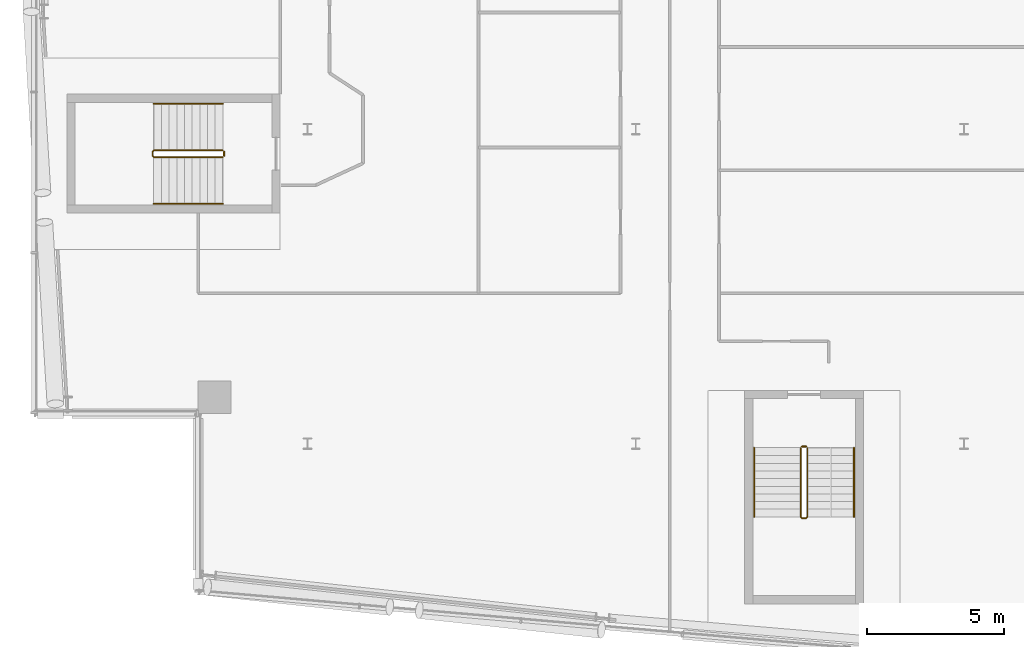
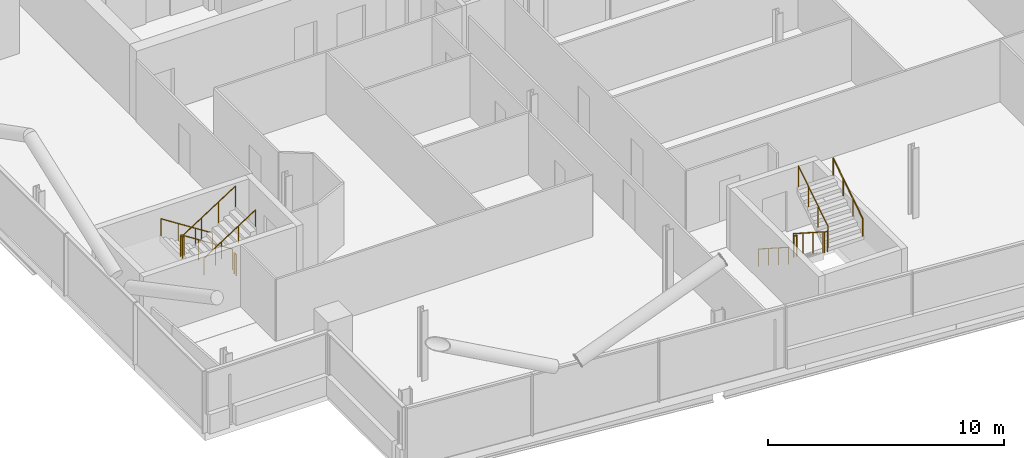
# One storey, part 25 of 27: 8 railings.
"""IFC4 building model written with IfcOpenShell, lengths in metres."""

from ifc_helpers import new_model, si_unit, direction, frame, origin, origin_2d, place, context, subcontext, project, spatial, circle, extrude, material, type_object, element, save


model = new_model("IFC4")

# Units and contexts
model_context = context("Model", 3, precision=1e-05, world=origin(), true_north=direction((0.0, 1.0)))
body_context = subcontext(model_context, "Body", "Model", "MODEL_VIEW")
ifc_project = project(units=[si_unit("LENGTHUNIT", "METRE"), si_unit("AREAUNIT", "SQUARE_METRE"), si_unit("VOLUMEUNIT", "CUBIC_METRE"), si_unit("PLANEANGLEUNIT", "RADIAN"), si_unit("MASSUNIT", "GRAM", prefix="KILO")], contexts=[model_context])

# Site, building, storey
site_placement = place(None, origin())
site = spatial("IfcSite", under=ifc_project, at=site_placement, CompositionType="ELEMENT")
building_placement = place(site_placement, origin())
building = spatial("IfcBuilding", under=site, at=building_placement, Name="Wharfspan Tower", CompositionType="ELEMENT")
storey_placement = place(building_placement, frame((0.0, 0.0, 228.699951)))
storey = spatial("IfcBuildingStorey", under=building, at=storey_placement, Name="L57", CompositionType="ELEMENT", Elevation=228.699951)

# Railings
ifc_material = material(Name="Steel S355J2", Category="steel")
railing_type_1 = type_object("IfcRailingType", Name="Stair guard 1100", PredefinedType="GUARDRAIL", material=ifc_material)
railing_1_placement = place(storey_placement, frame((20.899902, 22.225098, 0.179932)))
element("IfcRailing", 1, at=railing_1_placement, inside=storey, type_object=railing_type_1, Name="L57 ST3 stair guard 1", PredefinedType="GUARDRAIL", context=body_context, shape_type="SweptSolid", body=[
    extrude(circle(Radius=0.023926, at=origin_2d()), frame((0.0, 0.0, 1.076172), z_axis=(-0.841163, 0.0, 0.540782), x_axis=(0.0, -1.0, 0.0)), (0.0, 0.0, 1.0), 2.99585),
    extrude(circle(Radius=0.023926, at=origin_2d()), frame((-2.52002, 0.0, 2.696289), z_axis=(-0.705376, -0.708834, 0.0), x_axis=(0.708834, -0.705376, 0.0)), (0.0, 0.0, 1.0), 0.070557),
    extrude(circle(Radius=0.023926, at=origin_2d()), frame((-2.569824, -0.050049, 2.696289), z_axis=(0.0, -1.0, 0.0), x_axis=(1.0, 0.0, 0.0)), (0.0, 0.0, 1.0), 0.150146),
    extrude(circle(Radius=0.023926, at=origin_2d()), frame((-2.569824, -0.200195, 2.696289), z_axis=(0.257753, -0.257753, 0.931196), x_axis=(0.707107, 0.707107, 0.0)), (0.0, 0.0, 1.0), 0.193115),
    extrude(circle(Radius=0.023926, at=origin_2d()), frame((-2.52002, -0.25, 2.875977), z_axis=(0.841163, 0.0, 0.540782), x_axis=(0.0, 1.0, 0.0)), (0.0, 0.0, 1.0), 2.99585),
    extrude(circle(Radius=0.020996, at=origin_2d()), origin(), (0.0, 0.0, 1.0), 1.052002),
    extrude(circle(Radius=0.020996, at=origin_2d()), frame((-0.840088, 0.0, 0.540039)), (0.0, 0.0, 1.0), 1.052002),
    extrude(circle(Radius=0.020996, at=origin_2d()), frame((-1.679932, 0.0, 1.080078)), (0.0, 0.0, 1.0), 1.052002),
    extrude(circle(Radius=0.020996, at=origin_2d()), frame((-2.52002, 0.0, 1.620117)), (0.0, 0.0, 1.0), 1.052002),
    extrude(circle(Radius=0.020996, at=origin_2d()), frame((-2.569824, -0.050049, 1.620117)), (0.0, 0.0, 1.0), 1.052002),
    extrude(circle(Radius=0.020996, at=origin_2d()), frame((-2.569824, -0.200195, 1.620117)), (0.0, 0.0, 1.0), 1.052002),
    extrude(circle(Radius=0.020996, at=origin_2d()), frame((-2.52002, -0.25, 1.800049)), (0.0, 0.0, 1.0), 1.052002),
    extrude(circle(Radius=0.020996, at=origin_2d()), frame((-1.679932, -0.25, 2.340088)), (0.0, 0.0, 1.0), 1.052002),
    extrude(circle(Radius=0.020996, at=origin_2d()), frame((-0.840088, -0.25, 2.880127)), (0.0, 0.0, 1.0), 1.052002),
    extrude(circle(Radius=0.020996, at=origin_2d()), frame((0.0, -0.25, 3.420166)), (0.0, 0.0, 1.0), 1.052002),
])
railing_2_placement = place(storey_placement, frame((20.949951, 22.175049, 0.0)))
element("IfcRailing", 2, at=railing_2_placement, inside=storey, type_object=railing_type_1, Name="L57 ST3 stair guard 2", PredefinedType="GUARDRAIL", context=body_context, shape_type="SweptSolid", body=[
    extrude(circle(Radius=0.023926, at=origin_2d()), frame((0.0, 0.0, 1.076172), z_axis=(0.0, -1.0, 0.0), x_axis=(1.0, 0.0, 0.0)), (0.0, 0.0, 1.0), 0.150146),
    extrude(circle(Radius=0.020996, at=origin_2d()), origin(), (0.0, 0.0, 1.0), 1.052002),
    extrude(circle(Radius=0.020996, at=origin_2d()), frame((0.0, -0.150146, 0.0)), (0.0, 0.0, 1.0), 1.052002),
])
railing_3_placement = place(storey_placement, frame((42.0271, 11.343262, 0.179932)))
element("IfcRailing", 3, at=railing_3_placement, inside=storey, type_object=railing_type_1, Name="L57 ST4 stair guard 1", PredefinedType="GUARDRAIL", context=body_context, shape_type="SweptSolid", body=[
    extrude(circle(Radius=0.023926, at=origin_2d()), frame((0.0, 0.0, 1.076172), z_axis=(0.0, -0.841163, 0.540782), x_axis=(1.0, 0.0, 0.0)), (0.0, 0.0, 1.0), 2.99585),
    extrude(circle(Radius=0.023926, at=origin_2d()), frame((0.0, -2.52002, 2.696289), z_axis=(0.707107, -0.707107, 0.0), x_axis=(0.707107, 0.707107, 0.0)), (0.0, 0.0, 1.0), 0.070801),
    extrude(circle(Radius=0.023926, at=origin_2d()), frame((0.050049, -2.570068, 2.696289), z_axis=(1.0, 0.0, 0.0), x_axis=(0.0, 1.0, 0.0)), (0.0, 0.0, 1.0), 0.149902),
    extrude(circle(Radius=0.023926, at=origin_2d()), frame((0.199951, -2.570068, 2.696289), z_axis=(0.258848, 0.258848, 0.930589), x_axis=(-0.707107, 0.707107, 0.0)), (0.0, 0.0, 1.0), 0.193359),
    extrude(circle(Radius=0.023926, at=origin_2d()), frame((0.25, -2.52002, 2.875977), z_axis=(0.0, 0.841163, 0.540782), x_axis=(-1.0, 0.0, 0.0)), (0.0, 0.0, 1.0), 2.99585),
    extrude(circle(Radius=0.020996, at=origin_2d()), origin(), (0.0, 0.0, 1.0), 1.052002),
    extrude(circle(Radius=0.020996, at=origin_2d()), frame((0.0, -0.840088, 0.540039)), (0.0, 0.0, 1.0), 1.052002),
    extrude(circle(Radius=0.020996, at=origin_2d()), frame((0.0, -1.679932, 1.080078)), (0.0, 0.0, 1.0), 1.052002),
    extrude(circle(Radius=0.020996, at=origin_2d()), frame((0.0, -2.52002, 1.620117)), (0.0, 0.0, 1.0), 1.052002),
    extrude(circle(Radius=0.020996, at=origin_2d()), frame((0.050049, -2.570068, 1.620117)), (0.0, 0.0, 1.0), 1.052002),
    extrude(circle(Radius=0.020996, at=origin_2d()), frame((0.199951, -2.570068, 1.620117)), (0.0, 0.0, 1.0), 1.052002),
    extrude(circle(Radius=0.020996, at=origin_2d()), frame((0.25, -2.52002, 1.800049)), (0.0, 0.0, 1.0), 1.052002),
    extrude(circle(Radius=0.020996, at=origin_2d()), frame((0.25, -1.679932, 2.340088)), (0.0, 0.0, 1.0), 1.052002),
    extrude(circle(Radius=0.020996, at=origin_2d()), frame((0.25, -0.840088, 2.880127)), (0.0, 0.0, 1.0), 1.052002),
    extrude(circle(Radius=0.020996, at=origin_2d()), frame((0.25, 0.0, 3.420166)), (0.0, 0.0, 1.0), 1.052002),
])
railing_4_placement = place(storey_placement, frame((42.077148, 11.393311, 0.0)))
element("IfcRailing", 4, at=railing_4_placement, inside=storey, type_object=railing_type_1, Name="L57 ST4 stair guard 2", PredefinedType="GUARDRAIL", context=body_context, shape_type="SweptSolid", body=[
    extrude(circle(Radius=0.023926, at=origin_2d()), frame((0.0, 0.0, 1.076172), z_axis=(1.0, 0.0, 0.0), x_axis=(0.0, 1.0, 0.0)), (0.0, 0.0, 1.0), 0.149902),
    extrude(circle(Radius=0.020996, at=origin_2d()), origin(), (0.0, 0.0, 1.0), 1.052002),
    extrude(circle(Radius=0.020996, at=origin_2d()), frame((0.149902, 0.0, 0.0)), (0.0, 0.0, 1.0), 1.052002),
])
railing_type_2 = type_object("IfcRailingType", Name="Stair handrail 900", PredefinedType="HANDRAIL", material=ifc_material)
railing_5_placement = place(storey_placement, frame((20.899902, 23.925049, 0.179932)))
element("IfcRailing", 5, at=railing_5_placement, inside=storey, type_object=railing_type_2, Name="L57 ST3 stair handrail 1", PredefinedType="HANDRAIL", context=body_context, shape_type="SweptSolid", body=[
    extrude(circle(Radius=0.023926, at=origin_2d()), frame((0.0, 0.0, 0.875977), z_axis=(-0.841163, 0.0, 0.540782), x_axis=(0.0, -1.0, 0.0)), (0.0, 0.0, 1.0), 2.99585),
    extrude(circle(Radius=0.020996, at=origin_2d()), origin(), (0.0, 0.0, 1.0), 0.851807),
    extrude(circle(Radius=0.020996, at=origin_2d()), frame((-0.840088, 0.0, 0.540039)), (0.0, 0.0, 1.0), 0.851807),
    extrude(circle(Radius=0.020996, at=origin_2d()), frame((-1.679932, 0.0, 1.080078)), (0.0, 0.0, 1.0), 0.851807),
    extrude(circle(Radius=0.020996, at=origin_2d()), frame((-2.52002, 0.0, 1.620117)), (0.0, 0.0, 1.0), 0.851807),
])
railing_6_placement = place(storey_placement, frame((18.379883, 20.274902, 1.97998)))
element("IfcRailing", 6, at=railing_6_placement, inside=storey, type_object=railing_type_2, Name="L57 ST3 stair handrail 2", PredefinedType="HANDRAIL", context=body_context, shape_type="SweptSolid", body=[
    extrude(circle(Radius=0.023926, at=origin_2d()), frame((0.0, 0.0, 0.875977), z_axis=(0.841163, 0.0, 0.540782), x_axis=(0.0, 1.0, 0.0)), (0.0, 0.0, 1.0), 2.99585),
    extrude(circle(Radius=0.020996, at=origin_2d()), origin(), (0.0, 0.0, 1.0), 0.851807),
    extrude(circle(Radius=0.020996, at=origin_2d()), frame((0.840088, 0.0, 0.540039)), (0.0, 0.0, 1.0), 0.851807),
    extrude(circle(Radius=0.020996, at=origin_2d()), frame((1.679932, 0.0, 1.080078)), (0.0, 0.0, 1.0), 0.851807),
    extrude(circle(Radius=0.020996, at=origin_2d()), frame((2.52002, 0.0, 1.620117)), (0.0, 0.0, 1.0), 0.851807),
])
railing_7_placement = place(storey_placement, frame((40.327148, 11.343262, 0.179932)))
element("IfcRailing", 7, at=railing_7_placement, inside=storey, type_object=railing_type_2, Name="L57 ST4 stair handrail 1", PredefinedType="HANDRAIL", context=body_context, shape_type="SweptSolid", body=[
    extrude(circle(Radius=0.023926, at=origin_2d()), frame((0.0, 0.0, 0.875977), z_axis=(0.0, -0.841163, 0.540782), x_axis=(1.0, 0.0, 0.0)), (0.0, 0.0, 1.0), 2.99585),
    extrude(circle(Radius=0.020996, at=origin_2d()), origin(), (0.0, 0.0, 1.0), 0.851807),
    extrude(circle(Radius=0.020996, at=origin_2d()), frame((0.0, -0.840088, 0.540039)), (0.0, 0.0, 1.0), 0.851807),
    extrude(circle(Radius=0.020996, at=origin_2d()), frame((0.0, -1.679932, 1.080078)), (0.0, 0.0, 1.0), 0.851807),
    extrude(circle(Radius=0.020996, at=origin_2d()), frame((0.0, -2.52002, 1.620117)), (0.0, 0.0, 1.0), 0.851807),
])
railing_8_placement = place(storey_placement, frame((43.977051, 8.823242, 1.97998)))
element("IfcRailing", 8, at=railing_8_placement, inside=storey, type_object=railing_type_2, Name="L57 ST4 stair handrail 2", PredefinedType="HANDRAIL", context=body_context, shape_type="SweptSolid", body=[
    extrude(circle(Radius=0.023926, at=origin_2d()), frame((0.0, 0.0, 0.875977), z_axis=(0.0, 0.841163, 0.540782), x_axis=(-1.0, 0.0, 0.0)), (0.0, 0.0, 1.0), 2.99585),
    extrude(circle(Radius=0.020996, at=origin_2d()), origin(), (0.0, 0.0, 1.0), 0.851807),
    extrude(circle(Radius=0.020996, at=origin_2d()), frame((0.0, 0.840088, 0.540039)), (0.0, 0.0, 1.0), 0.851807),
    extrude(circle(Radius=0.020996, at=origin_2d()), frame((0.0, 1.679932, 1.080078)), (0.0, 0.0, 1.0), 0.851807),
    extrude(circle(Radius=0.020996, at=origin_2d()), frame((0.0, 2.52002, 1.620117)), (0.0, 0.0, 1.0), 0.851807),
])

save(model, "model.ifc")
